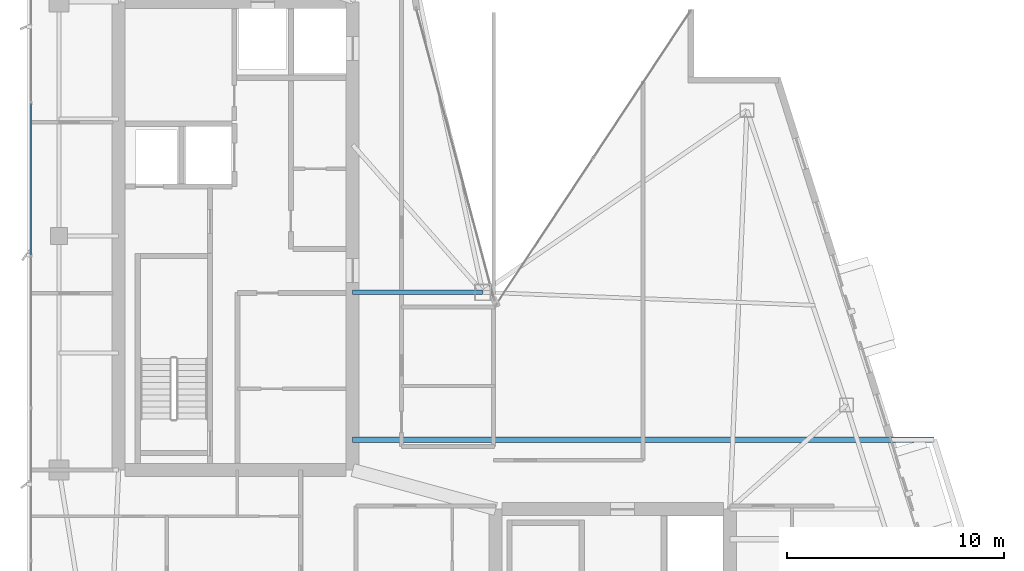
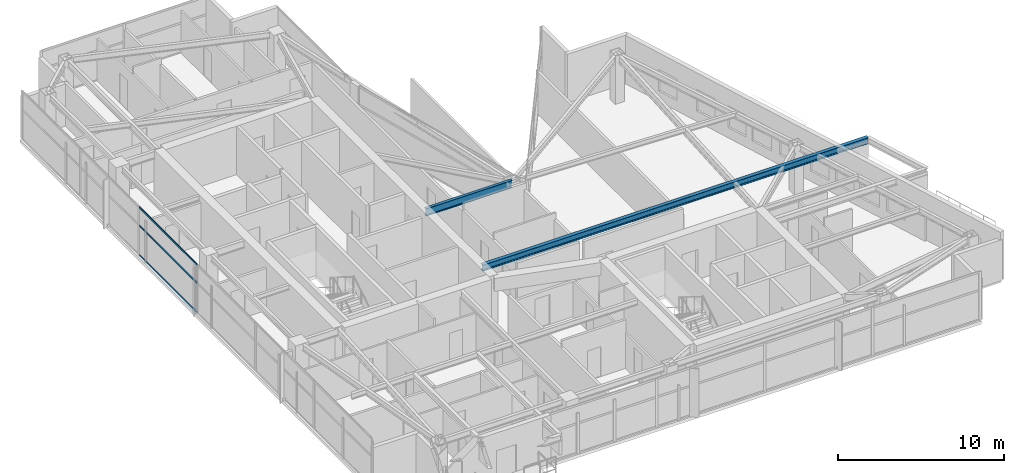
# One storey, part 10 of 28: 3 members, 2 beams, 1 element without a shape of its own.
"""IFC4 building model written with IfcOpenShell, lengths in metres."""

from ifc_helpers import new_model, si_unit, direction, frame, origin, origin_2d, place, context, subcontext, project, spatial, hollow_rectangle, i_section, extrude, material, layer, layer_set, material_profile, profile_set, type_object, element, aggregate, save


model = new_model("IFC4")

# Units and contexts
model_context = context("Model", 3, precision=1e-05, world=origin(), true_north=direction((0.0, 1.0)))
body_context = subcontext(model_context, "Body", "Model", "MODEL_VIEW")
ifc_project = project(units=[si_unit("LENGTHUNIT", "METRE"), si_unit("AREAUNIT", "SQUARE_METRE"), si_unit("VOLUMEUNIT", "CUBIC_METRE"), si_unit("PLANEANGLEUNIT", "RADIAN"), si_unit("MASSUNIT", "GRAM", prefix="KILO")], contexts=[model_context])

# Site, building, storey
site_placement = place(None, origin())
site = spatial("IfcSite", under=ifc_project, at=site_placement, CompositionType="ELEMENT")
building_placement = place(site_placement, origin())
building = spatial("IfcBuilding", under=site, at=building_placement, Name="Calvorn Quay Hotel", CompositionType="ELEMENT")
storey_placement = place(building_placement, frame((0.0, 0.0, 267.300048828125)))
storey = spatial("IfcBuildingStorey", under=building, at=storey_placement, Name="L66", CompositionType="ELEMENT", Elevation=267.300048828125)

# Beams
ifc_material_1 = material(Name="Steel Q355B", Category="steel")
ifc_material_profile_1 = material_profile(ifc_material_1, i_section(OverallWidth=0.25, OverallDepth=0.449951171875, WebThickness=0.011962890625, FlangeThickness=0.01611328125, FilletRadius=0.01611328125, at=origin_2d()), Name="HN450x250x12x16")
ifc_profile_set_1 = profile_set([ifc_material_profile_1], Name="Steel Q355B")
beam_type_1 = type_object("IfcBeamType", Name="BM-CANT-BALC", PredefinedType="BEAM", material=ifc_profile_set_1)
beam_1_placement = place(storey_placement, frame((15.0, 18.199951171875, 3.31494140625), z_axis=(1.0, 0.0, 0.0), x_axis=(0.0, 1.0, 0.0)))
element("IfcBeam", 1, at=beam_1_placement, inside=storey, type_object=beam_type_1, Name="Cantilever Balcony Beam BCB-L67-1B", PredefinedType="BEAM", context=body_context, shape_type="SweptSolid", body=[
    extrude(i_section(OverallWidth=0.25, OverallDepth=0.449951171875, WebThickness=0.011962890625, FlangeThickness=0.01611328125, FilletRadius=0.01611328125, at=origin_2d()), origin(), (0.0, 0.0, 1.0), 26.820068359375),
])
ifc_material_2 = material(Name="Steel Q355B", Category="steel")
ifc_material_profile_2 = material_profile(ifc_material_2, i_section(OverallWidth=0.199951171875, OverallDepth=0.550048828125, WebThickness=0.010009765625, FlangeThickness=0.01611328125, FilletRadius=0.01806640625, at=origin_2d()), Name="HN550x200x10x16")
ifc_profile_set_2 = profile_set([ifc_material_profile_2], Name="Steel Q355B")
beam_type_2 = type_object("IfcBeamType", Name="BM-GIRD-UPP", PredefinedType="BEAM", material=ifc_profile_set_2)
beam_2_placement = place(storey_placement, frame((21.0, 25.0, 3.264892578125), z_axis=(-1.0, 0.0, 0.0), x_axis=(0.0, -1.0, 0.0)))
element("IfcBeam", 2, at=beam_2_placement, inside=storey, type_object=beam_type_2, Name="Beam BG-L66-W7", PredefinedType="BEAM", context=body_context, shape_type="SweptSolid", body=[
    extrude(i_section(OverallWidth=0.199951171875, OverallDepth=0.550048828125, WebThickness=0.010009765625, FlangeThickness=0.01611328125, FilletRadius=0.01806640625, at=origin_2d()), origin(), (0.0, 0.0, 1.0), 6.0),
])

# Curtain wall, members
ifc_material_3 = material(Name="Champagne Bronze Anodised Aluminium and Low-E Glass", Category="aluminium")
ifc_layer = layer(ifc_material_3, 0.219970703125)
ifc_layer_set = layer_set([ifc_layer], Name="CW-SYS-Z4")
curtain_wall_type = type_object("IfcCurtainWallType", Name="CW-SYS-Z4", PredefinedType="NOTDEFINED", material=ifc_layer_set)
curtain_wall_placement = place(storey_placement, origin())
curtain_wall = element("IfcCurtainWall", 3, at=curtain_wall_placement, inside=storey, type_object=curtain_wall_type, Name="Tower West Curtain Wall (L66)", PredefinedType="NOTDEFINED")
ifc_material_4 = material(Name="Champagne Bronze Anodised Aluminium 6063-T6", Category="aluminium")
ifc_material_profile_3 = material_profile(ifc_material_4, hollow_rectangle(XDim=0.054931640625, YDim=0.1298828125, WallThickness=0.003173828125, at=origin_2d()), Name="ALU-T130x55x3.2")
ifc_profile_set_3 = profile_set([ifc_material_profile_3], Name="Champagne Bronze Anodised Aluminium 6063-T6")
member_type = type_object("IfcMemberType", Name="CW-SYS-Z4-TRN", PredefinedType="USERDEFINED", material=ifc_profile_set_3)
member_1_placement = place(storey_placement, frame((0.14990234375, 26.72998046875, 0.030029296875), z_axis=(0.0, 1.0, 0.0), x_axis=(-1.0, 0.0, 0.0)))
member_1 = element("IfcMember", 4, at=member_1_placement, type_object=member_type, Name="CW-L66-W transom 4.1", ObjectType="TRANSOM", PredefinedType="USERDEFINED", context=body_context, shape_type="SweptSolid", body=[
    extrude(hollow_rectangle(XDim=0.054931640625, YDim=0.1298828125, WallThickness=0.003173828125, at=origin_2d()), origin(), (0.0, 0.0, 1.0), 6.973388671875),
])
member_2_placement = place(storey_placement, frame((0.14990234375, 26.72998046875, 2.199951171875), z_axis=(0.0, 1.0, 0.0), x_axis=(-1.0, 0.0, 0.0)))
member_2 = element("IfcMember", 5, at=member_2_placement, type_object=member_type, Name="CW-L66-W transom 4.2", ObjectType="TRANSOM", PredefinedType="USERDEFINED", context=body_context, shape_type="SweptSolid", body=[
    extrude(hollow_rectangle(XDim=0.054931640625, YDim=0.1298828125, WallThickness=0.003173828125, at=origin_2d()), origin(), (0.0, 0.0, 1.0), 6.973388671875),
])
member_3_placement = place(storey_placement, frame((0.14990234375, 26.72998046875, 3.530029296875), z_axis=(0.0, 1.0, 0.0), x_axis=(-1.0, 0.0, 0.0)))
member_3 = element("IfcMember", 6, at=member_3_placement, type_object=member_type, Name="CW-L66-W transom 4.3", ObjectType="TRANSOM", PredefinedType="USERDEFINED", context=body_context, shape_type="SweptSolid", body=[
    extrude(hollow_rectangle(XDim=0.054931640625, YDim=0.1298828125, WallThickness=0.003173828125, at=origin_2d()), origin(), (0.0, 0.0, 1.0), 6.973388671875),
])
aggregate(curtain_wall, [member_1, member_2, member_3])

save(model, "model.ifc")
